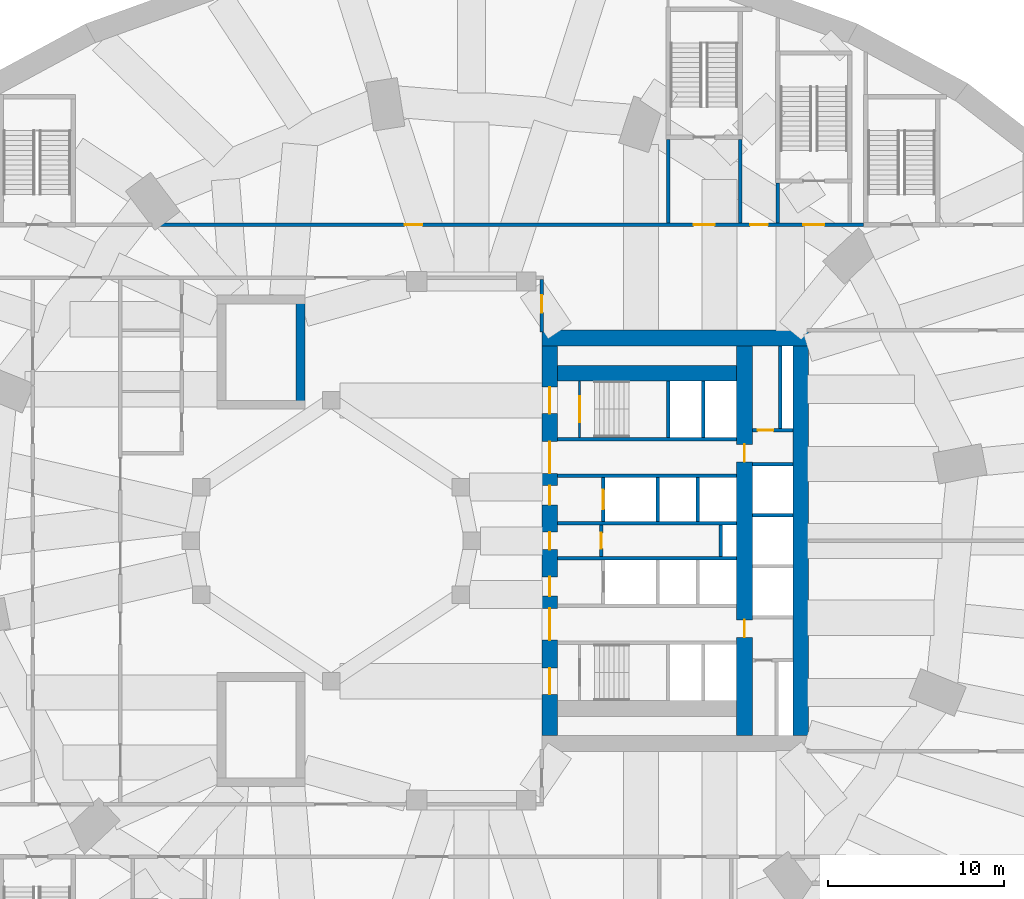
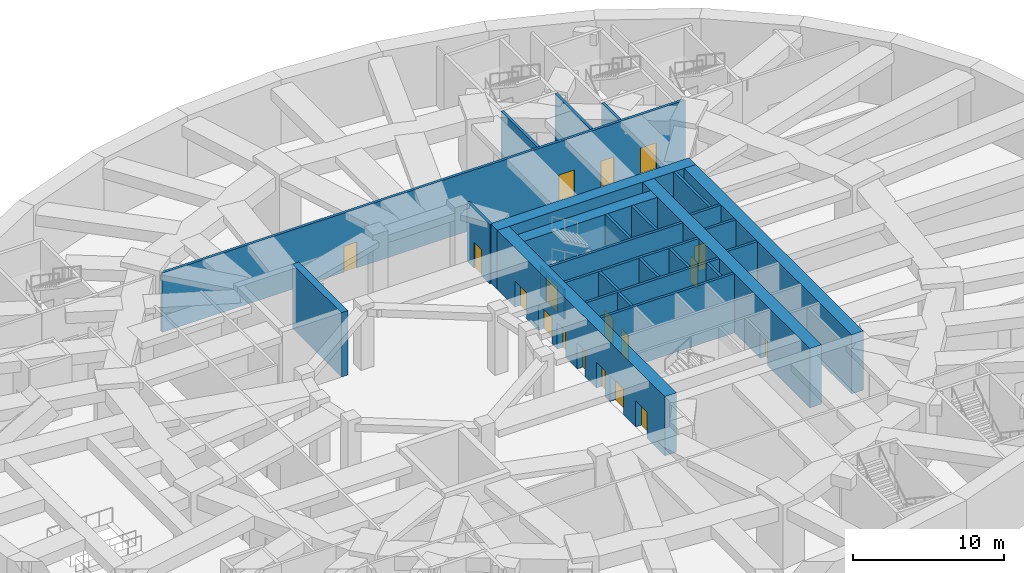
# One storey, part 7 of 14: 27 walls, 18 doors, 18 openings.
"""IFC4 building model written with IfcOpenShell, lengths in metres."""

import ifcopenshell
import ifcopenshell.guid

model = None  # the IFC model being written
_history = None  # IfcOwnerHistory: only IFC2X3 demands one
_inside = {}  # id of a spatial element -> (the spatial element, [elements in it])
_under = {}  # id of a project, library or spatial element -> (it, [spatial elements below it])
_declared = {}  # id of a project -> (the project, [libraries it declares])
_typed = {}  # id of a type object -> (the type object, [elements of that type])
_made_of = {}  # id of a material, layer set ... -> (it, [elements and type objects made of it])


def new_model(schema):
    """Start an empty IFC model of exactly this schema.

    Asked for "IFC4X3", IfcOpenShell would pick the latest addendum, in which some entities
    have other attributes; the version numbers below select the first issue.
    IFC2X3 requires an IfcOwnerHistory on every rooted entity: one is made here for all.
    """
    global model, _history
    if schema == "IFC4X3":
        model = ifcopenshell.file(schema_version=(4, 3, 0, 0))
    else:
        model = ifcopenshell.file(schema=schema)
    _inside.clear()
    _under.clear()
    _declared.clear()
    _typed.clear()
    _made_of.clear()
    _history = None
    if model.schema == "IFC2X3":
        org = make("IfcOrganization", Name="unknown")
        user = make(
            "IfcPersonAndOrganization",
            ThePerson=make("IfcPerson", FamilyName="unknown"),
            TheOrganization=org,
        )
        app = make(
            "IfcApplication",
            ApplicationDeveloper=org,
            Version="unknown",
            ApplicationFullName="unknown",
            ApplicationIdentifier="unknown",
        )
        _history = make(
            "IfcOwnerHistory",
            OwningUser=user,
            OwningApplication=app,
            ChangeAction="ADDED",
            CreationDate=0,
        )
    return model


def make(cls, **values):
    """One entity of the class cls with the attributes given. An attribute that is None is left unset."""
    return model.create_entity(
        cls, **{name: value for name, value in values.items() if value is not None}
    )


def rooted(cls, **values):
    """An entity with a GlobalId (a new one), such as an element, a storey or a relation."""
    return make(cls, GlobalId=ifcopenshell.guid.new(), OwnerHistory=_history, **values)


def si_unit(unit_type, name, prefix=None):
    """IfcSIUnit, for example si_unit("LENGTHUNIT", "METRE", prefix="MILLI")."""
    return make("IfcSIUnit", UnitType=unit_type, Prefix=prefix, Name=name)


def assignment(units):
    """IfcUnitAssignment: the units of a project."""
    return None if units is None else make("IfcUnitAssignment", Units=units)


def point(xyz):
    """IfcCartesianPoint."""
    return None if xyz is None else make("IfcCartesianPoint", Coordinates=xyz)


def direction(xyz):
    """IfcDirection."""
    return None if xyz is None else make("IfcDirection", DirectionRatios=xyz)


def frame(location, z_axis=None, x_axis=None):
    """IfcAxis2Placement3D, a coordinate frame: its origin and axes. An axis left out is left unset."""
    return make(
        "IfcAxis2Placement3D",
        Location=point(location),
        Axis=direction(z_axis),
        RefDirection=direction(x_axis),
    )


def frame_2d(location, x_axis=None):
    """IfcAxis2Placement2D, a coordinate frame in the plane: its origin and x axis."""
    return make(
        "IfcAxis2Placement2D", Location=point(location), RefDirection=direction(x_axis)
    )


def origin():
    """The frame at (0, 0, 0) with its axes left unset."""
    return frame((0.0, 0.0, 0.0))


def place(relative_to, where):
    """IfcLocalPlacement: puts the frame where relative to a parent placement (None: the world)."""
    return make(
        "IfcLocalPlacement", PlacementRelTo=relative_to, RelativePlacement=where
    )


def context(
    kind, dimensions, precision=None, world=None, true_north=None, identifier=None
):
    """IfcGeometricRepresentationContext, for example the 3D "Model" context."""
    return make(
        "IfcGeometricRepresentationContext",
        ContextIdentifier=identifier,
        ContextType=kind,
        CoordinateSpaceDimension=dimensions,
        Precision=precision,
        WorldCoordinateSystem=world,
        TrueNorth=true_north,
    )


def subcontext(parent, identifier, kind, view, scale=None):
    """IfcGeometricRepresentationSubContext, for example "Body" below "Model"."""
    return make(
        "IfcGeometricRepresentationSubContext",
        ContextIdentifier=identifier,
        ContextType=kind,
        ParentContext=parent,
        TargetScale=scale,
        TargetView=view,
    )


def project(units=None, contexts=None):
    """IfcProject with its units and contexts."""
    return rooted(
        "IfcProject",
        Name="project",
        RepresentationContexts=contexts,
        UnitsInContext=assignment(units),
    )


def spatial(cls, under=None, at=None, **own):
    """A site, building, storey or space (cls), placed at a placement, below another one or the project."""
    s = rooted(cls, ObjectPlacement=at, **own)
    if under is not None:
        _under.setdefault(under.id(), (under, []))[1].append(s)
    return s


def profile(cls, at=None, kind="AREA", **sizes):
    """A parametric profile (cls). Its sizes go by their IFC names, for example OverallWidth=200.0."""
    return make(cls, ProfileType=kind, Position=at, **sizes)


def rectangle(**sizes):
    """IfcRectangleProfileDef."""
    return profile("IfcRectangleProfileDef", **sizes)


def extrude(swept, where, along, depth):
    """IfcExtrudedAreaSolid: the profile swept, set in the frame where, extruded along a direction by depth."""
    return make(
        "IfcExtrudedAreaSolid",
        SweptArea=swept,
        Position=where,
        ExtrudedDirection=direction(along),
        Depth=depth,
    )


def shape(context_of_items, identifier, shape_type, items):
    """IfcShapeRepresentation: the items that make up one representation, for example the "Body"."""
    return make(
        "IfcShapeRepresentation",
        ContextOfItems=context_of_items,
        RepresentationIdentifier=identifier,
        RepresentationType=shape_type,
        Items=items,
    )


def material(Name=None, Category=None):
    """IfcMaterial."""
    return make("IfcMaterial", Name=Name, Category=Category)


def layer(
    of_material, thickness, ventilated=None, Name=None, Category=None, Priority=None
):
    """IfcMaterialLayer: one layer of a wall or slab, of a material (None: an air gap)."""
    return make(
        "IfcMaterialLayer",
        Material=of_material,
        LayerThickness=thickness,
        IsVentilated=ventilated,
        Name=Name,
        Category=Category,
        Priority=Priority,
    )


def layer_set(layers, Name=None):
    """IfcMaterialLayerSet."""
    return make("IfcMaterialLayerSet", MaterialLayers=layers, LayerSetName=Name)


def made_of(thing, what):
    """Note that an element or type object is made of a material, layer set ...; save() writes the relation."""
    if what is not None:
        _made_of.setdefault(what.id(), (what, []))[1].append(thing)
    return thing


def type_object(cls, material=None, **own):
    """A type object (cls), such as IfcWallType, which elements share."""
    return made_of(rooted(cls, **own), material)


def element(
    cls,
    number,
    at=None,
    inside=None,
    cuts=None,
    type_object=None,
    material=None,
    context=None,
    identifier="Body",
    shape_type=None,
    held_by="IfcProductDefinitionShape",
    body=None,
    shapes=None,
    **own,
):
    """One element of the class cls, such as IfcWall. Its Tag is "e" and its number.

    at: its placement. inside: the storey or other place that contains it. cuts: it is an
    opening in that element (IfcRelVoidsElement). A single representation is given by context,
    identifier, shape_type and body (its items); several are given by shapes. held_by: the class
    of the entity that holds the representations. save() writes the other relations.
    """
    e = rooted(cls, Tag="e%d" % number, ObjectPlacement=at, **own)
    if body is not None:
        shapes = [shape(context, identifier, shape_type, body)]
    if shapes is not None:
        e.Representation = make(held_by, Representations=shapes)
    if inside is not None:
        _inside.setdefault(inside.id(), (inside, []))[1].append(e)
    if cuts is not None:
        rooted(
            "IfcRelVoidsElement", RelatingBuildingElement=cuts, RelatedOpeningElement=e
        )
    if type_object is not None:
        _typed.setdefault(type_object.id(), (type_object, []))[1].append(e)
    return made_of(e, material)


def fill(opening, filler):
    """IfcRelFillsElement: the door or window that sits in an opening."""
    return rooted(
        "IfcRelFillsElement",
        RelatingOpeningElement=opening,
        RelatedBuildingElement=filler,
    )


def aggregate(whole, parts):
    """IfcRelAggregates: a whole, such as a stair, and the parts it consists of."""
    return rooted("IfcRelAggregates", RelatingObject=whole, RelatedObjects=parts)


def save(model, path):
    """Write the relations noted so far, then the file.

    IfcRelAggregates (storeys below a building ...), IfcRelContainedInSpatialStructure (elements
    in a storey), IfcRelDefinesByType, IfcRelAssociatesMaterial and IfcRelDeclares: one each for
    every whole, place, type object, material and project.
    """
    for whole, parts in _under.values():
        aggregate(whole, parts)
    for where, things in _inside.values():
        rooted(
            "IfcRelContainedInSpatialStructure",
            RelatedElements=things,
            RelatingStructure=where,
        )
    for kind, things in _typed.values():
        rooted("IfcRelDefinesByType", RelatedObjects=things, RelatingType=kind)
    for what, things in _made_of.values():
        rooted("IfcRelAssociatesMaterial", RelatedObjects=things, RelatingMaterial=what)
    for by, libraries in _declared.values():
        rooted("IfcRelDeclares", RelatingContext=by, RelatedDefinitions=libraries)
    model.write(path)


model = new_model("IFC4")

# Units and contexts
model_context = context("Model", 3, precision=1e-05, world=origin(), true_north=direction((0.0, 1.0)))
body_context = subcontext(model_context, "Body", "Model", "MODEL_VIEW")
ifc_project = project(units=[si_unit("LENGTHUNIT", "METRE"), si_unit("AREAUNIT", "SQUARE_METRE"), si_unit("VOLUMEUNIT", "CUBIC_METRE"), si_unit("PLANEANGLEUNIT", "RADIAN"), si_unit("MASSUNIT", "GRAM", prefix="KILO")], contexts=[model_context])

# Site, building, storey
site_placement = place(None, origin())
site = spatial("IfcSite", under=ifc_project, at=site_placement, CompositionType="ELEMENT")
building_placement = place(site_placement, origin())
building = spatial("IfcBuilding", under=site, at=building_placement, Name="Taillehof Tower", CompositionType="ELEMENT")
storey_placement = place(building_placement, frame((0.0, 0.0, -5.199951171875)))
storey = spatial("IfcBuildingStorey", under=building, at=storey_placement, Name="B1", CompositionType="ELEMENT", Elevation=-5.199951171875)

# Wall, openings, doors
ifc_material_1 = material(Name="Calcium silicate blockwork", Category="masonry")
ifc_layer_1 = layer(ifc_material_1, 0.199951171875)
ifc_layer_set_1 = layer_set([ifc_layer_1], Name="Compartment wall EI 60 200 mm")
wall_type_1 = type_object("IfcWallType", Name="Compartment wall EI 60 200 mm", PredefinedType="PARTITIONING", material=ifc_layer_set_1)
wall_1_placement = place(storey_placement, frame((-17.714599609375, 18.0, 0.0), z_axis=(0.0, 0.0, 1.0), x_axis=(1.0, 0.0, 0.0)))
wall_1 = element("IfcWall", 1, at=wall_1_placement, inside=storey, type_object=wall_type_1, Name="Wall B1-17 / B1-20", PredefinedType="PARTITIONING", context=body_context, shape_type="SweptSolid", body=[
    extrude(rectangle(XDim=40.03955078125, YDim=0.199951171875, at=frame_2d((20.019775390625, 0.0))), origin(), (0.0, 0.0, 1.0), 4.7900390625),
])
opening_1_placement = place(wall_1_placement, frame((13.90771484375, 0.0, 0.0)))
opening_1 = element("IfcOpeningElement", 2, at=opening_1_placement, cuts=wall_1, Name="Opening DB181", PredefinedType="OPENING", context=body_context, shape_type="SweptSolid", body=[
    extrude(rectangle(XDim=1.0, YDim=2.10009765625, at=frame_2d((0.5, 1.050048828125))), frame((0.0, 0.10986328125, 0.0), z_axis=(0.0, -1.0, 0.0), x_axis=(1.0, 0.0, 0.0)), (0.0, 0.0, 1.0), 0.219970703125),
])
opening_2_placement = place(wall_1_placement, frame((30.36474609375, 0.0, 0.0)))
opening_2 = element("IfcOpeningElement", 3, at=opening_2_placement, cuts=wall_1, Name="Opening DB182", PredefinedType="OPENING", context=body_context, shape_type="SweptSolid", body=[
    extrude(rectangle(XDim=1.199951171875, YDim=2.10009765625, at=frame_2d((0.60009765625, 1.050048828125))), frame((0.0, 0.10986328125, 0.0), z_axis=(0.0, -1.0, 0.0), x_axis=(1.0, 0.0, 0.0)), (0.0, 0.0, 1.0), 0.219970703125),
])
opening_3_placement = place(wall_1_placement, frame((33.589599609375, 0.0, 0.0)))
opening_3 = element("IfcOpeningElement", 4, at=opening_3_placement, cuts=wall_1, Name="Opening DB183", PredefinedType="OPENING", context=body_context, shape_type="SweptSolid", body=[
    extrude(rectangle(XDim=1.0, YDim=2.10009765625, at=frame_2d((0.5, 1.050048828125))), frame((0.0, 0.10986328125, 0.0), z_axis=(0.0, -1.0, 0.0), x_axis=(1.0, 0.0, 0.0)), (0.0, 0.0, 1.0), 0.219970703125),
])
opening_4_placement = place(wall_1_placement, frame((36.61474609375, 0.0, 0.0)))
opening_4 = element("IfcOpeningElement", 5, at=opening_4_placement, cuts=wall_1, Name="Opening DB184", PredefinedType="OPENING", context=body_context, shape_type="SweptSolid", body=[
    extrude(rectangle(XDim=1.199951171875, YDim=2.10009765625, at=frame_2d((0.60009765625, 1.050048828125))), frame((0.0, 0.10986328125, 0.0), z_axis=(0.0, -1.0, 0.0), x_axis=(1.0, 0.0, 0.0)), (0.0, 0.0, 1.0), 0.219970703125),
])
ifc_material_2 = material(Name="Hollow metal door set")
door_type_1 = type_object("IfcDoorType", Name="Single door 1000 x 2100 FD60S", OperationType="SINGLE_SWING_LEFT", PredefinedType="DOOR", material=ifc_material_2)
door_1_placement = place(opening_1_placement, origin())
door_1 = element("IfcDoor", 6, at=door_1_placement, inside=storey, type_object=door_type_1, Name="Door DB181", OperationType="SINGLE_SWING_LEFT", OverallHeight=2.10009765625, OverallWidth=1.0, PredefinedType="DOOR", context=body_context, shape_type="SweptSolid", body=[
    extrude(rectangle(XDim=1.0, YDim=2.10009765625, at=frame_2d((0.5, 1.050048828125))), frame((0.0, 0.02490234375, 0.0), z_axis=(0.0, -1.0, 0.0), x_axis=(1.0, 0.0, 0.0)), (0.0, 0.0, 1.0), 0.050048828125),
])
fill(opening_1, door_1)
door_2_placement = place(opening_3_placement, origin())
door_2 = element("IfcDoor", 7, at=door_2_placement, inside=storey, type_object=door_type_1, Name="Door DB183", OperationType="SINGLE_SWING_RIGHT", OverallHeight=2.10009765625, OverallWidth=1.0, PredefinedType="DOOR", context=body_context, shape_type="SweptSolid", body=[
    extrude(rectangle(XDim=1.0, YDim=2.10009765625, at=frame_2d((0.5, 1.050048828125))), frame((0.0, 0.02490234375, 0.0), z_axis=(0.0, -1.0, 0.0), x_axis=(1.0, 0.0, 0.0)), (0.0, 0.0, 1.0), 0.050048828125),
])
fill(opening_3, door_2)
ifc_material_3 = material(Name="Hollow metal door set")
door_type_2 = type_object("IfcDoorType", Name="Single door 1200 x 2100 FD60S", OperationType="SINGLE_SWING_LEFT", PredefinedType="DOOR", material=ifc_material_3)
door_3_placement = place(opening_2_placement, origin())
door_3 = element("IfcDoor", 8, at=door_3_placement, inside=storey, type_object=door_type_2, Name="Door DB182", OperationType="SINGLE_SWING_LEFT", OverallHeight=2.10009765625, OverallWidth=1.199951171875, PredefinedType="DOOR", context=body_context, shape_type="SweptSolid", body=[
    extrude(rectangle(XDim=1.199951171875, YDim=2.10009765625, at=frame_2d((0.60009765625, 1.050048828125))), frame((0.0, 0.02490234375, 0.0), z_axis=(0.0, -1.0, 0.0), x_axis=(1.0, 0.0, 0.0)), (0.0, 0.0, 1.0), 0.050048828125),
])
fill(opening_2, door_3)
door_4_placement = place(opening_4_placement, origin())
door_4 = element("IfcDoor", 9, at=door_4_placement, inside=storey, type_object=door_type_2, Name="Door DB184", OperationType="SINGLE_SWING_LEFT", OverallHeight=2.10009765625, OverallWidth=1.199951171875, PredefinedType="DOOR", context=body_context, shape_type="SweptSolid", body=[
    extrude(rectangle(XDim=1.199951171875, YDim=2.10009765625, at=frame_2d((0.60009765625, 1.050048828125))), frame((0.0, 0.02490234375, 0.0), z_axis=(0.0, -1.0, 0.0), x_axis=(1.0, 0.0, 0.0)), (0.0, 0.0, 1.0), 0.050048828125),
])
fill(opening_4, door_4)

# Wall, opening, door
wall_2_placement = place(storey_placement, frame((4.0, 11.89990234375, 0.0), z_axis=(0.0, 0.0, 1.0), x_axis=(0.0, 1.0, 0.0)))
wall_2 = element("IfcWall", 10, at=wall_2_placement, inside=storey, type_object=wall_type_1, Name="Wall B1-16 / B1-17", PredefinedType="PARTITIONING", context=body_context, shape_type="SweptSolid", body=[
    extrude(rectangle(XDim=3.0, YDim=0.199951171875, at=frame_2d((1.5, 0.0))), origin(), (0.0, 0.0, 1.0), 4.7900390625),
])
opening_5_placement = place(wall_2_placement, frame((1.10009765625, 0.0, 0.0)))
opening_5 = element("IfcOpeningElement", 11, at=opening_5_placement, cuts=wall_2, Name="Opening DB174", PredefinedType="OPENING", context=body_context, shape_type="SweptSolid", body=[
    extrude(rectangle(XDim=1.0, YDim=2.10009765625, at=frame_2d((0.5, 1.050048828125))), frame((0.0, 0.10986328125, 0.0), z_axis=(0.0, -1.0, 0.0), x_axis=(1.0, 0.0, 0.0)), (0.0, 0.0, 1.0), 0.219970703125),
])
door_5_placement = place(opening_5_placement, origin())
door_5 = element("IfcDoor", 12, at=door_5_placement, inside=storey, type_object=door_type_1, Name="Door DB174", OperationType="SINGLE_SWING_RIGHT", OverallHeight=2.10009765625, OverallWidth=1.0, PredefinedType="DOOR", context=body_context, shape_type="SweptSolid", body=[
    extrude(rectangle(XDim=1.0, YDim=2.10009765625, at=frame_2d((0.5, 1.050048828125))), frame((0.0, 0.02490234375, 0.0), z_axis=(0.0, -1.0, 0.0), x_axis=(1.0, 0.0, 0.0)), (0.0, 0.0, 1.0), 0.050048828125),
])
fill(opening_5, door_5)

# Walls
for number, where, z_axis, x_axis, name in (
    (13, (11.199951171875, 18.10009765625, 0.0), (0.0, 0.0, 1.0), (0.0, 1.0, 0.0), "Wall B1-20 / B1-21"),
    (14, (15.300048828125, 18.10009765625, 0.0), (0.0, 0.0, 1.0), (0.0, 1.0, 0.0), "Wall B1-21 / B1-22"),
):
    element("IfcWall", number, at=place(storey_placement, frame(where, z_axis=z_axis, x_axis=x_axis)), inside=storey, type_object=wall_type_1, Name=name, PredefinedType="PARTITIONING", context=body_context, shape_type="SweptSolid", body=[
        extrude(rectangle(XDim=4.77490234375, YDim=0.199951171875, at=frame_2d((2.387451171875, 0.0))), origin(), (0.0, 0.0, 1.0), 4.7900390625),
    ])
wall_3_placement = place(storey_placement, frame((17.449951171875, 18.10009765625, 0.0), z_axis=(0.0, 0.0, 1.0), x_axis=(0.0, 1.0, 0.0)))
element("IfcWall", 15, at=wall_3_placement, inside=storey, type_object=wall_type_1, Name="Wall B1-22 / B1-23", PredefinedType="PARTITIONING", context=body_context, shape_type="SweptSolid", body=[
    extrude(rectangle(XDim=2.27490234375, YDim=0.199951171875, at=frame_2d((1.137451171875, 0.0))), origin(), (0.0, 0.0, 1.0), 4.7900390625),
])

# Wall, opening, door
ifc_material_4 = material(Name="Calcium silicate masonry", Category="masonry")
ifc_layer_2 = layer(ifc_material_4, 0.199951171875)
ifc_layer_set_2 = layer_set([ifc_layer_2], Name="Compartment wall calcium silicate 200")
wall_type_2 = type_object("IfcWallType", Name="Compartment wall calcium silicate 200", PredefinedType="PARTITIONING", material=ifc_layer_set_2)
wall_4_placement = place(storey_placement, frame((7.39990234375, -0.89990234375, 0.0), z_axis=(0.0, 0.0, 1.0), x_axis=(0.0, 1.0, 0.0)))
wall_4 = element("IfcWall", 16, at=wall_4_placement, inside=storey, type_object=wall_type_2, Name="Compartment wall FW", PredefinedType="PARTITIONING", context=body_context, shape_type="SweptSolid", body=[
    extrude(rectangle(XDim=1.7998046875, YDim=0.199951171875, at=frame_2d((0.89990234375, 0.0))), origin(), (0.0, 0.0, 1.0), 4.7900390625),
])
opening_6_placement = place(wall_4_placement, frame((0.449951171875, 0.0, 0.0)))
opening_6 = element("IfcOpeningElement", 17, at=opening_6_placement, cuts=wall_4, Name="Opening DB110", PredefinedType="OPENING", context=body_context, shape_type="SweptSolid", body=[
    extrude(rectangle(XDim=0.89990234375, YDim=2.10009765625, at=frame_2d((0.449951171875, 1.050048828125))), frame((0.0, 0.10986328125, 0.0), z_axis=(0.0, -1.0, 0.0), x_axis=(1.0, 0.0, 0.0)), (0.0, 0.0, 1.0), 0.219970703125),
])
ifc_material_5 = material(Name="Steel-faced fire door", Category="steel")
door_type_3 = type_object("IfcDoorType", Name="Riser and service room door 900x2100", OperationType="SINGLE_SWING_LEFT", PredefinedType="DOOR", material=ifc_material_5)
door_6_placement = place(opening_6_placement, origin())
door_6 = element("IfcDoor", 18, at=door_6_placement, inside=storey, type_object=door_type_3, Name="Door Electrical Room", OperationType="SINGLE_SWING_RIGHT", OverallHeight=2.10009765625, OverallWidth=0.89990234375, PredefinedType="DOOR", context=body_context, shape_type="SweptSolid", body=[
    extrude(rectangle(XDim=0.89990234375, YDim=2.10009765625, at=frame_2d((0.449951171875, 1.050048828125))), frame((0.0, 0.02490234375, 0.0), z_axis=(0.0, -1.0, 0.0), x_axis=(1.0, 0.0, 0.0)), (0.0, 0.0, 1.0), 0.050048828125),
])
fill(opening_6, door_6)

# Wall
wall_5_placement = place(storey_placement, frame((14.199951171875, -0.89990234375, 0.0), z_axis=(0.0, 0.0, 1.0), x_axis=(0.0, 1.0, 0.0)))
element("IfcWall", 19, at=wall_5_placement, inside=storey, type_object=wall_type_2, Name="Compartment wall FW", PredefinedType="PARTITIONING", context=body_context, shape_type="SweptSolid", body=[
    extrude(rectangle(XDim=1.7998046875, YDim=0.199951171875, at=frame_2d((0.89990234375, 0.0))), origin(), (0.0, 0.0, 1.0), 4.7900390625),
])

# Wall, opening, door
wall_6_placement = place(storey_placement, frame((16.0, 6.300048828125, 0.0), z_axis=(0.0, 0.0, 1.0), x_axis=(1.0, 0.0, 0.0)))
wall_6 = element("IfcWall", 20, at=wall_6_placement, inside=storey, type_object=wall_type_2, Name="Compartment wall FW", PredefinedType="PARTITIONING", context=body_context, shape_type="SweptSolid", body=[
    extrude(rectangle(XDim=2.300048828125, YDim=0.199951171875, at=frame_2d((1.14990234375, 0.0))), origin(), (0.0, 0.0, 1.0), 4.7900390625),
])
opening_7_placement = place(wall_6_placement, frame((0.300048828125, 0.0, 0.0)))
opening_7 = element("IfcOpeningElement", 21, at=opening_7_placement, cuts=wall_6, Name="Opening DB112", PredefinedType="OPENING", context=body_context, shape_type="SweptSolid", body=[
    extrude(rectangle(XDim=0.89990234375, YDim=2.10009765625, at=frame_2d((0.449951171875, 1.050048828125))), frame((0.0, 0.10986328125, 0.0), z_axis=(0.0, -1.0, 0.0), x_axis=(1.0, 0.0, 0.0)), (0.0, 0.0, 1.0), 0.219970703125),
])
door_7_placement = place(opening_7_placement, origin())
door_7 = element("IfcDoor", 22, at=door_7_placement, inside=storey, type_object=door_type_3, Name="Door Electrical Room", OperationType="SINGLE_SWING_RIGHT", OverallHeight=2.10009765625, OverallWidth=0.89990234375, PredefinedType="DOOR", context=body_context, shape_type="SweptSolid", body=[
    extrude(rectangle(XDim=0.89990234375, YDim=2.10009765625, at=frame_2d((0.449951171875, 1.050048828125))), frame((0.0, 0.02490234375, 0.0), z_axis=(0.0, -1.0, 0.0), x_axis=(1.0, 0.0, 0.0)), (0.0, 0.0, 1.0), 0.050048828125),
])
fill(opening_7, door_7)

# Wall
wall_7_placement = place(storey_placement, frame((17.60009765625, 6.39990234375, 0.0), z_axis=(0.0, 0.0, 1.0), x_axis=(0.0, 1.0, 0.0)))
element("IfcWall", 23, at=wall_7_placement, inside=storey, type_object=wall_type_2, Name="Compartment wall FW", PredefinedType="PARTITIONING", context=body_context, shape_type="SweptSolid", body=[
    extrude(rectangle(XDim=4.7001953125, YDim=0.199951171875, at=frame_2d((2.35009765625, 0.0))), origin(), (0.0, 0.0, 1.0), 4.7900390625),
])

# Wall, openings, doors
ifc_material_6 = material(Name="Concrete C80/95", Category="concrete")
ifc_layer_3 = layer(ifc_material_6, 0.89990234375)
ifc_layer_set_3 = layer_set([ifc_layer_3], Name="Core wall C80/95 900")
wall_type_3 = type_object("IfcWallType", Name="Core wall C80/95 900", PredefinedType="SHEAR", material=ifc_layer_set_3)
wall_8_placement = place(storey_placement, frame((4.449951171875, -11.10009765625, 0.0), z_axis=(0.0, 0.0, 1.0), x_axis=(0.0, 1.0, 0.0)))
wall_8 = element("IfcWall", 24, at=wall_8_placement, inside=storey, type_object=wall_type_3, Name="Core wall CW01", PredefinedType="SHEAR", context=body_context, shape_type="SweptSolid", body=[
    extrude(rectangle(XDim=22.2001953125, YDim=0.89990234375, at=frame_2d((11.10009765625, 0.0))), origin(), (0.0, 0.0, 1.0), 4.7900390625),
])
opening_8_placement = place(wall_8_placement, frame((2.35009765625, 0.0, 0.0)))
opening_8 = element("IfcOpeningElement", 25, at=opening_8_placement, cuts=wall_8, Name="Opening DB101", PredefinedType="OPENING", context=body_context, shape_type="SweptSolid", body=[
    extrude(rectangle(XDim=1.5, YDim=2.10009765625, at=frame_2d((0.75, 1.050048828125))), frame((0.0, 0.4599609375, 0.0), z_axis=(0.0, -1.0, 0.0), x_axis=(1.0, 0.0, 0.0)), (0.0, 0.0, 1.0), 0.919921875),
])
opening_9_placement = place(wall_8_placement, frame((5.449951171875, 0.0, 0.0)))
opening_9 = element("IfcOpeningElement", 26, at=opening_9_placement, cuts=wall_8, Name="Opening DB102", PredefinedType="OPENING", context=body_context, shape_type="SweptSolid", body=[
    extrude(rectangle(XDim=1.800048828125, YDim=2.10009765625, at=frame_2d((0.89990234375, 1.050048828125))), frame((0.0, 0.4599609375, 0.0), z_axis=(0.0, -1.0, 0.0), x_axis=(1.0, 0.0, 0.0)), (0.0, 0.0, 1.0), 0.919921875),
])
opening_10_placement = place(wall_8_placement, frame((7.949951171875, 0.0, 0.0)))
opening_10 = element("IfcOpeningElement", 27, at=opening_10_placement, cuts=wall_8, Name="Opening DB103", PredefinedType="OPENING", context=body_context, shape_type="SweptSolid", body=[
    extrude(rectangle(XDim=1.10009765625, YDim=2.10009765625, at=frame_2d((0.550048828125, 1.050048828125))), frame((0.0, 0.4599609375, 0.0), z_axis=(0.0, -1.0, 0.0), x_axis=(1.0, 0.0, 0.0)), (0.0, 0.0, 1.0), 0.919921875),
])
opening_11_placement = place(wall_8_placement, frame((10.60009765625, 0.0, 0.0)))
opening_11 = element("IfcOpeningElement", 28, at=opening_11_placement, cuts=wall_8, Name="Opening DB104", PredefinedType="OPENING", context=body_context, shape_type="SweptSolid", body=[
    extrude(rectangle(XDim=1.0, YDim=2.10009765625, at=frame_2d((0.5, 1.050048828125))), frame((0.0, 0.4599609375, 0.0), z_axis=(0.0, -1.0, 0.0), x_axis=(1.0, 0.0, 0.0)), (0.0, 0.0, 1.0), 0.919921875),
])
opening_12_placement = place(wall_8_placement, frame((13.14990234375, 0.0, 0.0)))
opening_12 = element("IfcOpeningElement", 29, at=opening_12_placement, cuts=wall_8, Name="Opening DB105", PredefinedType="OPENING", context=body_context, shape_type="SweptSolid", body=[
    extrude(rectangle(XDim=1.10009765625, YDim=2.10009765625, at=frame_2d((0.550048828125, 1.050048828125))), frame((0.0, 0.4599609375, 0.0), z_axis=(0.0, -1.0, 0.0), x_axis=(1.0, 0.0, 0.0)), (0.0, 0.0, 1.0), 0.919921875),
])
opening_13_placement = place(wall_8_placement, frame((14.949951171875, 0.0, 0.0)))
opening_13 = element("IfcOpeningElement", 30, at=opening_13_placement, cuts=wall_8, Name="Opening DB106", PredefinedType="OPENING", context=body_context, shape_type="SweptSolid", body=[
    extrude(rectangle(XDim=1.800048828125, YDim=2.10009765625, at=frame_2d((0.89990234375, 1.050048828125))), frame((0.0, 0.4599609375, 0.0), z_axis=(0.0, -1.0, 0.0), x_axis=(1.0, 0.0, 0.0)), (0.0, 0.0, 1.0), 0.919921875),
])
opening_14_placement = place(wall_8_placement, frame((18.35009765625, 0.0, 0.0)))
opening_14 = element("IfcOpeningElement", 31, at=opening_14_placement, cuts=wall_8, Name="Opening DB107", PredefinedType="OPENING", context=body_context, shape_type="SweptSolid", body=[
    extrude(rectangle(XDim=1.5, YDim=2.10009765625, at=frame_2d((0.75, 1.050048828125))), frame((0.0, 0.4599609375, 0.0), z_axis=(0.0, -1.0, 0.0), x_axis=(1.0, 0.0, 0.0)), (0.0, 0.0, 1.0), 0.919921875),
])
ifc_material_7 = material(Name="Steel-faced fire door", Category="steel")
door_type_4 = type_object("IfcDoorType", Name="Firefighting lobby door 1100x2100", OperationType="SINGLE_SWING_RIGHT", PredefinedType="DOOR", material=ifc_material_7)
door_8_placement = place(opening_10_placement, origin())
door_8 = element("IfcDoor", 32, at=door_8_placement, inside=storey, type_object=door_type_4, Name="Firefighting lobby door FFL-S", OperationType="SINGLE_SWING_LEFT", OverallHeight=2.10009765625, OverallWidth=1.10009765625, PredefinedType="DOOR", context=body_context, shape_type="SweptSolid", body=[
    extrude(rectangle(XDim=1.10009765625, YDim=2.10009765625, at=frame_2d((0.550048828125, 1.050048828125))), frame((0.0, 0.02490234375, 0.0), z_axis=(0.0, -1.0, 0.0), x_axis=(1.0, 0.0, 0.0)), (0.0, 0.0, 1.0), 0.050048828125),
])
fill(opening_10, door_8)
door_9_placement = place(opening_12_placement, origin())
door_9 = element("IfcDoor", 33, at=door_9_placement, inside=storey, type_object=door_type_4, Name="Firefighting lobby door FFL-N", OperationType="SINGLE_SWING_RIGHT", OverallHeight=2.10009765625, OverallWidth=1.10009765625, PredefinedType="DOOR", context=body_context, shape_type="SweptSolid", body=[
    extrude(rectangle(XDim=1.10009765625, YDim=2.10009765625, at=frame_2d((0.550048828125, 1.050048828125))), frame((0.0, 0.02490234375, 0.0), z_axis=(0.0, -1.0, 0.0), x_axis=(1.0, 0.0, 0.0)), (0.0, 0.0, 1.0), 0.050048828125),
])
fill(opening_12, door_9)
ifc_material_8 = material(Name="Steel-faced fire door", Category="steel")
door_type_5 = type_object("IfcDoorType", Name="Lift lobby door 1800x2100", OperationType="DOUBLE_DOOR_SINGLE_SWING", PredefinedType="DOOR", material=ifc_material_8)
door_10_placement = place(opening_9_placement, origin())
door_10 = element("IfcDoor", 34, at=door_10_placement, inside=storey, type_object=door_type_5, Name="Lift lobby door LL-S", OperationType="DOUBLE_DOOR_SINGLE_SWING", OverallHeight=2.10009765625, OverallWidth=1.800048828125, PredefinedType="DOOR", context=body_context, shape_type="SweptSolid", body=[
    extrude(rectangle(XDim=1.800048828125, YDim=2.10009765625, at=frame_2d((0.89990234375, 1.050048828125))), frame((0.0, 0.02490234375, 0.0), z_axis=(0.0, -1.0, 0.0), x_axis=(1.0, 0.0, 0.0)), (0.0, 0.0, 1.0), 0.050048828125),
])
fill(opening_9, door_10)
door_11_placement = place(opening_13_placement, origin())
door_11 = element("IfcDoor", 35, at=door_11_placement, inside=storey, type_object=door_type_5, Name="Lift lobby door LL-N", OperationType="DOUBLE_DOOR_SINGLE_SWING", OverallHeight=2.10009765625, OverallWidth=1.800048828125, PredefinedType="DOOR", context=body_context, shape_type="SweptSolid", body=[
    extrude(rectangle(XDim=1.800048828125, YDim=2.10009765625, at=frame_2d((0.89990234375, 1.050048828125))), frame((0.0, 0.02490234375, 0.0), z_axis=(0.0, -1.0, 0.0), x_axis=(1.0, 0.0, 0.0)), (0.0, 0.0, 1.0), 0.050048828125),
])
fill(opening_13, door_11)
ifc_material_9 = material(Name="Steel-faced fire door", Category="steel")
door_type_6 = type_object("IfcDoorType", Name="Service door 1000x2100", OperationType="SINGLE_SWING_RIGHT", PredefinedType="DOOR", material=ifc_material_9)
door_12_placement = place(opening_11_placement, origin())
door_12 = element("IfcDoor", 36, at=door_12_placement, inside=storey, type_object=door_type_6, Name="Service door SV", OperationType="SINGLE_SWING_LEFT", OverallHeight=2.10009765625, OverallWidth=1.0, PredefinedType="DOOR", context=body_context, shape_type="SweptSolid", body=[
    extrude(rectangle(XDim=1.0, YDim=2.10009765625, at=frame_2d((0.5, 1.050048828125))), frame((0.0, 0.02490234375, 0.0), z_axis=(0.0, -1.0, 0.0), x_axis=(1.0, 0.0, 0.0)), (0.0, 0.0, 1.0), 0.050048828125),
])
fill(opening_11, door_12)
ifc_material_10 = material(Name="Steel-faced fire door", Category="steel")
door_type_7 = type_object("IfcDoorType", Name="Stair door 1500x2100", OperationType="DOUBLE_DOOR_SINGLE_SWING", PredefinedType="DOOR", material=ifc_material_10)
door_13_placement = place(opening_8_placement, origin())
door_13 = element("IfcDoor", 37, at=door_13_placement, inside=storey, type_object=door_type_7, Name="Stair door S2", OperationType="DOUBLE_DOOR_SINGLE_SWING", OverallHeight=2.10009765625, OverallWidth=1.5, PredefinedType="DOOR", context=body_context, shape_type="SweptSolid", body=[
    extrude(rectangle(XDim=1.5, YDim=2.10009765625, at=frame_2d((0.75, 1.050048828125))), frame((0.0, 0.02490234375, 0.0), z_axis=(0.0, -1.0, 0.0), x_axis=(1.0, 0.0, 0.0)), (0.0, 0.0, 1.0), 0.050048828125),
])
fill(opening_8, door_13)
door_14_placement = place(opening_14_placement, origin())
door_14 = element("IfcDoor", 38, at=door_14_placement, inside=storey, type_object=door_type_7, Name="Stair door S1", OperationType="DOUBLE_DOOR_SINGLE_SWING", OverallHeight=2.10009765625, OverallWidth=1.5, PredefinedType="DOOR", context=body_context, shape_type="SweptSolid", body=[
    extrude(rectangle(XDim=1.5, YDim=2.10009765625, at=frame_2d((0.75, 1.050048828125))), frame((0.0, 0.02490234375, 0.0), z_axis=(0.0, -1.0, 0.0), x_axis=(1.0, 0.0, 0.0)), (0.0, 0.0, 1.0), 0.050048828125),
])
fill(opening_14, door_14)

# Walls
wall_9_placement = place(storey_placement, frame((18.75, -11.10009765625, 0.0), z_axis=(0.0, 0.0, 1.0), x_axis=(0.0, 1.0, 0.0)))
element("IfcWall", 39, at=wall_9_placement, inside=storey, type_object=wall_type_3, Name="Core wall CW02", PredefinedType="SHEAR", context=body_context, shape_type="SweptSolid", body=[
    extrude(rectangle(XDim=22.2001953125, YDim=0.89990234375, at=frame_2d((11.10009765625, 0.0))), origin(), (0.0, 0.0, 1.0), 4.7900390625),
])
wall_10_placement = place(storey_placement, frame((4.0, 11.550048828125, 0.0), z_axis=(0.0, 0.0, 1.0), x_axis=(1.0, 0.0, 0.0)))
element("IfcWall", 40, at=wall_10_placement, inside=storey, type_object=wall_type_3, Name="Core wall CW03", PredefinedType="SHEAR", context=body_context, shape_type="SweptSolid", body=[
    extrude(rectangle(XDim=15.199951171875, YDim=0.89990234375, at=frame_2d((7.60009765625, 0.0))), origin(), (0.0, 0.0, 1.0), 4.7900390625),
])

# Wall, openings, doors
wall_11_placement = place(storey_placement, frame((15.550048828125, -11.10009765625, 0.0), z_axis=(0.0, 0.0, 1.0), x_axis=(0.0, 1.0, 0.0)))
wall_11 = element("IfcWall", 41, at=wall_11_placement, inside=storey, type_object=wall_type_3, Name="Core wall CW05", PredefinedType="SHEAR", context=body_context, shape_type="SweptSolid", body=[
    extrude(rectangle(XDim=22.2001953125, YDim=0.89990234375, at=frame_2d((11.10009765625, 0.0))), origin(), (0.0, 0.0, 1.0), 4.7900390625),
])
opening_15_placement = place(wall_11_placement, frame((15.60009765625, 0.0, 0.0)))
opening_15 = element("IfcOpeningElement", 42, at=opening_15_placement, cuts=wall_11, Name="Opening DB111", PredefinedType="OPENING", context=body_context, shape_type="SweptSolid", body=[
    extrude(rectangle(XDim=1.0, YDim=2.10009765625, at=frame_2d((0.5, 1.050048828125))), frame((0.0, 0.4599609375, 0.0), z_axis=(0.0, -1.0, 0.0), x_axis=(1.0, 0.0, 0.0)), (0.0, 0.0, 1.0), 0.919921875),
])
opening_16_placement = place(wall_11_placement, frame((5.60009765625, 0.0, 0.0)))
opening_16 = element("IfcOpeningElement", 43, at=opening_16_placement, cuts=wall_11, Name="Opening DB113", PredefinedType="OPENING", context=body_context, shape_type="SweptSolid", body=[
    extrude(rectangle(XDim=1.0, YDim=2.10009765625, at=frame_2d((0.5, 1.050048828125))), frame((0.0, 0.4599609375, 0.0), z_axis=(0.0, -1.0, 0.0), x_axis=(1.0, 0.0, 0.0)), (0.0, 0.0, 1.0), 0.919921875),
])
door_15_placement = place(opening_15_placement, origin())
door_15 = element("IfcDoor", 44, at=door_15_placement, inside=storey, type_object=door_type_6, Name="Service door strip", OperationType="SINGLE_SWING_RIGHT", OverallHeight=2.10009765625, OverallWidth=1.0, PredefinedType="DOOR", context=body_context, shape_type="SweptSolid", body=[
    extrude(rectangle(XDim=1.0, YDim=2.10009765625, at=frame_2d((0.5, 1.050048828125))), frame((0.0, 0.02490234375, 0.0), z_axis=(0.0, -1.0, 0.0), x_axis=(1.0, 0.0, 0.0)), (0.0, 0.0, 1.0), 0.050048828125),
])
fill(opening_15, door_15)
door_16_placement = place(opening_16_placement, origin())
door_16 = element("IfcDoor", 45, at=door_16_placement, inside=storey, type_object=door_type_6, Name="Service door strip", OperationType="SINGLE_SWING_LEFT", OverallHeight=2.10009765625, OverallWidth=1.0, PredefinedType="DOOR", context=body_context, shape_type="SweptSolid", body=[
    extrude(rectangle(XDim=1.0, YDim=2.10009765625, at=frame_2d((0.5, 1.050048828125))), frame((0.0, 0.02490234375, 0.0), z_axis=(0.0, -1.0, 0.0), x_axis=(1.0, 0.0, 0.0)), (0.0, 0.0, 1.0), 0.050048828125),
])
fill(opening_16, door_16)

# Walls
wall_12_placement = place(storey_placement, frame((4.89990234375, 9.550048828125, 0.0), z_axis=(0.0, 0.0, 1.0), x_axis=(1.0, 0.0, 0.0)))
element("IfcWall", 46, at=wall_12_placement, inside=storey, type_object=wall_type_3, Name="Core wall CW06", PredefinedType="SHEAR", context=body_context, shape_type="SweptSolid", body=[
    extrude(rectangle(XDim=10.2001953125, YDim=0.89990234375, at=frame_2d((5.10009765625, 0.0))), origin(), (0.0, 0.0, 1.0), 4.7900390625),
])
ifc_material_11 = material(Name="Concrete C50/60", Category="concrete")
ifc_layer_4 = layer(ifc_material_11, 0.199951171875)
ifc_layer_set_4 = layer_set([ifc_layer_4], Name="Shaft wall C50/60 200")
wall_type_4 = type_object("IfcWallType", Name="Shaft wall C50/60 200", PredefinedType="SHEAR", material=ifc_layer_set_4)
for number, where, z_axis, x_axis, name in (
    (47, (4.89990234375, 5.800048828125, 0.0), (0.0, 0.0, 1.0), (1.0, 0.0, 0.0), "Shaft wall SW"),
    (48, (4.89990234375, 3.699951171875, 0.0), (0.0, 0.0, 1.0), (1.0, 0.0, 0.0), "Shaft wall SW"),
    (49, (4.89990234375, 1.0, 0.0), (0.0, 0.0, 1.0), (1.0, 0.0, 0.0), "Shaft wall SW"),
    (50, (4.89990234375, -1.0, 0.0), (0.0, 0.0, 1.0), (1.0, 0.0, 0.0), "Shaft wall SW"),
):
    element("IfcWall", number, at=place(storey_placement, frame(where, z_axis=z_axis, x_axis=x_axis)), inside=storey, type_object=wall_type_4, Name=name, PredefinedType="SHEAR", context=body_context, shape_type="SweptSolid", body=[
        extrude(rectangle(XDim=10.2001953125, YDim=0.199951171875, at=frame_2d((5.10009765625, 0.0))), origin(), (0.0, 0.0, 1.0), 4.7900390625),
    ])
for number, where, z_axis, x_axis, name in (
    (51, (11.199951171875, 5.89990234375, 0.0), (0.0, 0.0, 1.0), (0.0, 1.0, 0.0), "Shaft wall SW"),
    (52, (13.199951171875, 5.89990234375, 0.0), (0.0, 0.0, 1.0), (0.0, 1.0, 0.0), "Shaft wall SW"),
):
    element("IfcWall", number, at=place(storey_placement, frame(where, z_axis=z_axis, x_axis=x_axis)), inside=storey, type_object=wall_type_4, Name=name, PredefinedType="SHEAR", context=body_context, shape_type="SweptSolid", body=[
        extrude(rectangle(XDim=3.2001953125, YDim=0.199951171875, at=frame_2d((1.60009765625, 0.0))), origin(), (0.0, 0.0, 1.0), 4.7900390625),
    ])

# Wall, opening, door
wall_13_placement = place(storey_placement, frame((7.5, 1.10009765625, 0.0), z_axis=(0.0, 0.0, 1.0), x_axis=(0.0, 1.0, 0.0)))
wall_13 = element("IfcWall", 53, at=wall_13_placement, inside=storey, type_object=wall_type_4, Name="Shaft wall SW", PredefinedType="SHEAR", context=body_context, shape_type="SweptSolid", body=[
    extrude(rectangle(XDim=2.5, YDim=0.199951171875, at=frame_2d((1.25, 0.0))), origin(), (0.0, 0.0, 1.0), 4.7900390625),
])
opening_17_placement = place(wall_13_placement, frame((0.699951171875, 0.0, 0.0)))
opening_17 = element("IfcOpeningElement", 54, at=opening_17_placement, cuts=wall_13, Name="Opening LD1", PredefinedType="OPENING", context=body_context, shape_type="SweptSolid", body=[
    extrude(rectangle(XDim=1.10009765625, YDim=2.10009765625, at=frame_2d((0.550048828125, 1.050048828125))), frame((0.0, 0.10986328125, 0.0), z_axis=(0.0, -1.0, 0.0), x_axis=(1.0, 0.0, 0.0)), (0.0, 0.0, 1.0), 0.219970703125),
])
ifc_material_12 = material(Name="Stainless steel", Category="steel")
door_type_8 = type_object("IfcDoorType", Name="Lift landing door LD1 1100x2100", OperationType="DOUBLE_DOOR_SLIDING", PredefinedType="DOOR", material=ifc_material_12)
door_17_placement = place(opening_17_placement, origin())
door_17 = element("IfcDoor", 55, at=door_17_placement, inside=storey, type_object=door_type_8, Name="Landing door FF1", OperationType="DOUBLE_DOOR_SLIDING", OverallHeight=2.10009765625, OverallWidth=1.10009765625, PredefinedType="DOOR", context=body_context, shape_type="SweptSolid", body=[
    extrude(rectangle(XDim=1.10009765625, YDim=2.10009765625, at=frame_2d((0.550048828125, 1.050048828125))), frame((0.0, 0.02490234375, 0.0), z_axis=(0.0, -1.0, 0.0), x_axis=(1.0, 0.0, 0.0)), (0.0, 0.0, 1.0), 0.050048828125),
])
fill(opening_17, door_17)

# Walls
for number, where, z_axis, x_axis, name in (
    (56, (10.60009765625, 1.10009765625, 0.0), (0.0, 0.0, 1.0), (0.0, 1.0, 0.0), "Shaft wall SW"),
    (57, (12.89990234375, 1.10009765625, 0.0), (0.0, 0.0, 1.0), (0.0, 1.0, 0.0), "Shaft wall SW"),
):
    element("IfcWall", number, at=place(storey_placement, frame(where, z_axis=z_axis, x_axis=x_axis)), inside=storey, type_object=wall_type_4, Name=name, PredefinedType="SHEAR", context=body_context, shape_type="SweptSolid", body=[
        extrude(rectangle(XDim=2.5, YDim=0.199951171875, at=frame_2d((1.25, 0.0))), origin(), (0.0, 0.0, 1.0), 4.7900390625),
    ])
for number, where, z_axis, x_axis, name in (
    (58, (16.0, 1.449951171875, 0.0), (0.0, 0.0, 1.0), (1.0, 0.0, 0.0), "Shaft wall SW"),
    (59, (16.0, 4.35009765625, 0.0), (0.0, 0.0, 1.0), (1.0, 0.0, 0.0), "Shaft wall SW"),
):
    element("IfcWall", number, at=place(storey_placement, frame(where, z_axis=z_axis, x_axis=x_axis)), inside=storey, type_object=wall_type_4, Name=name, PredefinedType="SHEAR", context=body_context, shape_type="SweptSolid", body=[
        extrude(rectangle(XDim=2.300048828125, YDim=0.199951171875, at=frame_2d((1.14990234375, 0.0))), origin(), (0.0, 0.0, 1.0), 4.7900390625),
    ])
ifc_material_13 = material(Name="Concrete C60/75", Category="concrete")
ifc_layer_5 = layer(ifc_material_13, 0.5)
ifc_layer_set_5 = layer_set([ifc_layer_5], Name="Stair enclosure base wall 500")
wall_type_5 = type_object("IfcWallType", Name="Stair enclosure base wall 500", PredefinedType="SHEAR", material=ifc_layer_set_5)
wall_14_placement = place(storey_placement, frame((-9.75, 7.5, 0.0), z_axis=(0.0, 0.0, 1.0), x_axis=(0.0, 1.0, 0.0)))
element("IfcWall", 60, at=wall_14_placement, inside=storey, type_object=wall_type_5, Name="Enclosure base wall S3-2", PredefinedType="SHEAR", context=body_context, shape_type="SweptSolid", body=[
    extrude(rectangle(XDim=6.5, YDim=0.5, at=frame_2d((3.25, 0.0))), origin(), (0.0, 0.0, 1.0), 5.199951171875),
])

# Wall, opening, door
ifc_material_14 = material(Name="Concrete C50/60", Category="concrete")
ifc_layer_6 = layer(ifc_material_14, 0.1201171875)
ifc_layer_set_6 = layer_set([ifc_layer_6], Name="Stair lobby wall C50/60 120")
wall_type_6 = type_object("IfcWallType", Name="Stair lobby wall C50/60 120", PredefinedType="SHEAR", material=ifc_layer_set_6)
wall_15_placement = place(storey_placement, frame((6.159912109375, 5.89990234375, 0.0), z_axis=(0.0, 0.0, 1.0), x_axis=(0.0, 1.0, 0.0)))
wall_15 = element("IfcWall", 61, at=wall_15_placement, inside=storey, type_object=wall_type_6, Name="Compartment wall SW", PredefinedType="SHEAR", context=body_context, shape_type="SweptSolid", body=[
    extrude(rectangle(XDim=3.2001953125, YDim=0.1201171875, at=frame_2d((1.60009765625, 0.0))), origin(), (0.0, 0.0, 1.0), 2.389892578125),
])
opening_18_placement = place(wall_15_placement, frame((0.85009765625, 0.0, 0.0)))
opening_18 = element("IfcOpeningElement", 62, at=opening_18_placement, cuts=wall_15, Name="Opening DB108", PredefinedType="OPENING", context=body_context, shape_type="SweptSolid", body=[
    extrude(rectangle(XDim=1.5, YDim=2.10009765625, at=frame_2d((0.75, 1.050048828125))), frame((0.0, 0.070068359375, 0.0), z_axis=(0.0, -1.0, 0.0), x_axis=(1.0, 0.0, 0.0)), (0.0, 0.0, 1.0), 0.14013671875),
])
door_18_placement = place(opening_18_placement, origin())
door_18 = element("IfcDoor", 63, at=door_18_placement, inside=storey, type_object=door_type_7, Name="Stair lobby door S1", OperationType="DOUBLE_DOOR_SINGLE_SWING", OverallHeight=2.10009765625, OverallWidth=1.5, PredefinedType="DOOR", context=body_context, shape_type="SweptSolid", body=[
    extrude(rectangle(XDim=1.5, YDim=2.10009765625, at=frame_2d((0.75, 1.050048828125))), frame((0.0, 0.02490234375, 0.0), z_axis=(0.0, -1.0, 0.0), x_axis=(1.0, 0.0, 0.0)), (0.0, 0.0, 1.0), 0.050048828125),
])
fill(opening_18, door_18)

save(model, "model.ifc")
